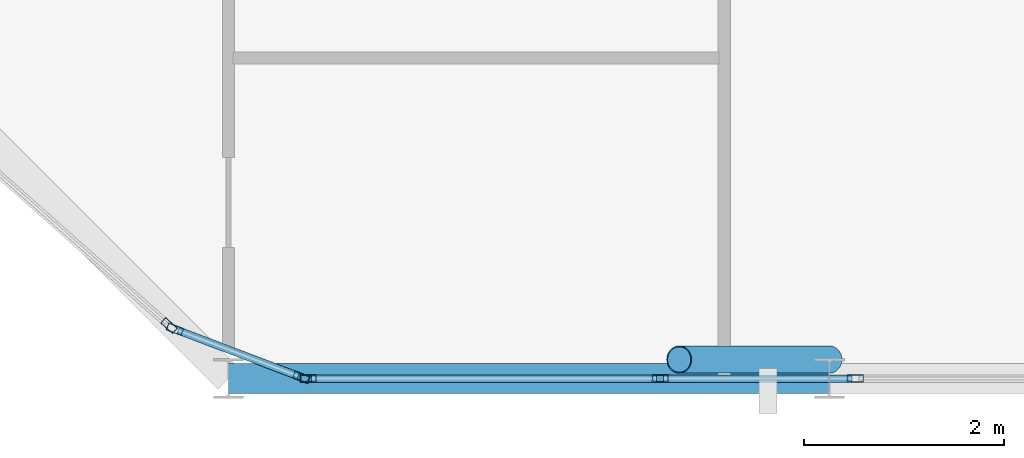
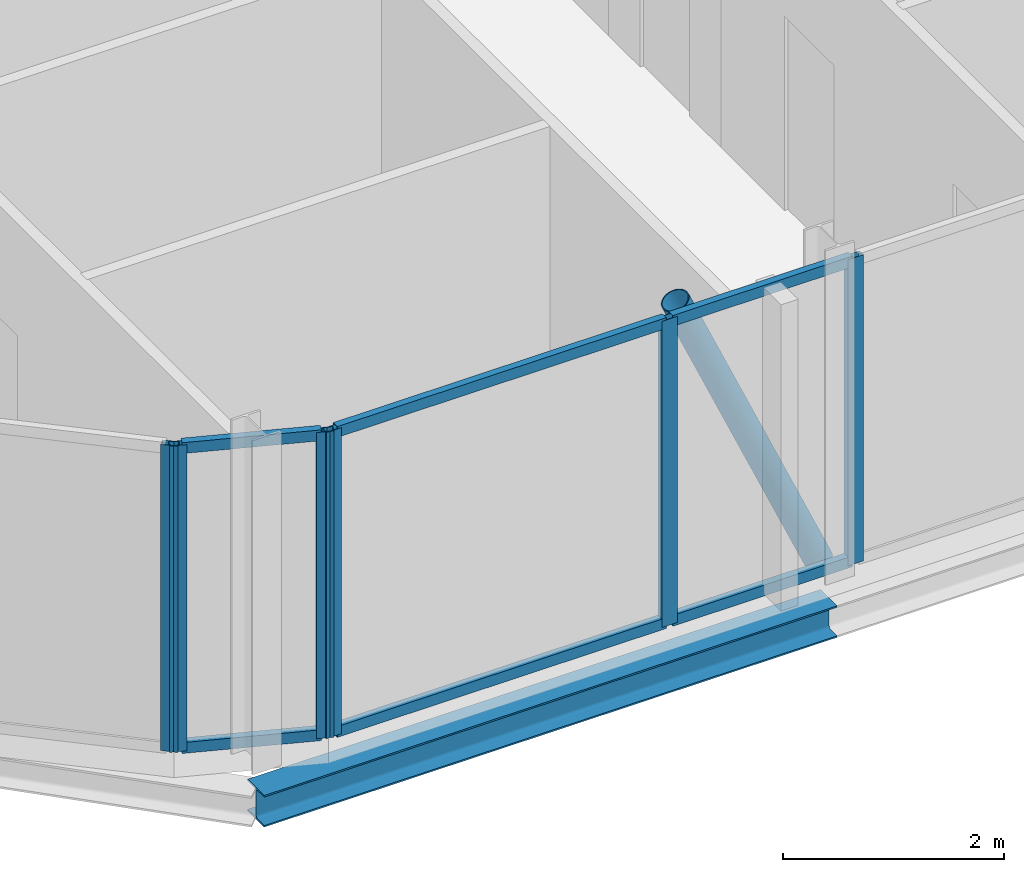
# One storey, part 6 of 28: 13 members, 1 beam, 5 elements without a shape of their own.
"""IFC4 building model written with IfcOpenShell, lengths in metres."""

from ifc_helpers import new_model, si_unit, direction, frame, origin, origin_2d, place, context, subcontext, project, spatial, hollow_rectangle, hollow_circle, i_section, extrude, material, layer, layer_set, material_profile, profile_set, type_object, element, aggregate, save


model = new_model("IFC4")

# Units and contexts
model_context = context("Model", 3, precision=1e-05, world=origin(), true_north=direction((0.0, 1.0)))
body_context = subcontext(model_context, "Body", "Model", "MODEL_VIEW")
ifc_project = project(units=[si_unit("LENGTHUNIT", "METRE"), si_unit("AREAUNIT", "SQUARE_METRE"), si_unit("VOLUMEUNIT", "CUBIC_METRE"), si_unit("PLANEANGLEUNIT", "RADIAN"), si_unit("MASSUNIT", "GRAM", prefix="KILO")], contexts=[model_context])

# Site, building, storey
site_placement = place(None, origin())
site = spatial("IfcSite", under=ifc_project, at=site_placement, CompositionType="ELEMENT")
building_placement = place(site_placement, origin())
building = spatial("IfcBuilding", under=site, at=building_placement, Name="Keshet Zoharim Tower", CompositionType="ELEMENT")
storey_placement = place(building_placement, frame((0.0, 0.0, 258.39990234375)))
storey = spatial("IfcBuildingStorey", under=building, at=storey_placement, Name="L64", CompositionType="ELEMENT", Elevation=258.39990234375)

# Beam
ifc_material_1 = material(Name="Steel S355", Category="steel")
ifc_material_profile_1 = material_profile(ifc_material_1, i_section(OverallWidth=0.300048828125, OverallDepth=0.35009765625, WebThickness=0.010009765625, FlangeThickness=0.017578125, FilletRadius=0.027099609375, at=origin_2d()), Name="HEA360")
ifc_profile_set_1 = profile_set([ifc_material_profile_1], Name="Steel S355")
beam_type = type_object("IfcBeamType", Name="BM-PRI-HA360", PredefinedType="BEAM", material=ifc_profile_set_1)
beam_placement = place(storey_placement, frame((21.0, 6.699951171875, -0.48486328125), z_axis=(1.0, 0.0, 0.0), x_axis=(0.0, 1.0, 0.0)))
element("IfcBeam", 1, at=beam_placement, inside=storey, type_object=beam_type, Name="L64 Primary Girder X-001", PredefinedType="BEAM", context=body_context, shape_type="SweptSolid", body=[
    extrude(i_section(OverallWidth=0.300048828125, OverallDepth=0.35009765625, WebThickness=0.010009765625, FlangeThickness=0.017578125, FilletRadius=0.027099609375, at=origin_2d()), origin(), (0.0, 0.0, 1.0), 6.0),
])

# Curtain wall, member
ifc_material_2 = material(Name="Aluminium 6063-T6", Category="aluminium")
ifc_layer = layer(ifc_material_2, 0.260009765625)
ifc_layer_set = layer_set([ifc_layer], Name="Aluminium 6063-T6")
curtain_wall_type = type_object("IfcCurtainWallType", Name="CW-SYS-06", PredefinedType="NOTDEFINED", material=ifc_layer_set)
curtain_wall_1_placement = place(storey_placement, origin())
curtain_wall_1 = element("IfcCurtainWall", 2, at=curtain_wall_1_placement, inside=storey, type_object=curtain_wall_type, Name="L64 Unitised Curtain Wall 14", PredefinedType="NOTDEFINED")
ifc_material_profile_2 = material_profile(ifc_material_2, hollow_rectangle(XDim=0.074951171875, YDim=0.159912109375, WallThickness=0.00390625, at=origin_2d()), Name="MUL-75x160")
ifc_profile_set_2 = profile_set([ifc_material_profile_2], Name="Aluminium 6063-T6")
member_type_1 = type_object("IfcMemberType", Name="CWM-M15", PredefinedType="MULLION", material=ifc_profile_set_2)
member_1_placement = place(storey_placement, frame((27.259765625, 6.699951171875, 0.0), z_axis=(0.0, 0.0, 1.0), x_axis=(0.0, -1.0, 0.0)))
member_1 = element("IfcMember", 3, at=member_1_placement, type_object=member_type_1, Name="CW-06 mullion 2", PredefinedType="MULLION", context=body_context, shape_type="SweptSolid", body=[
    extrude(hollow_rectangle(XDim=0.074951171875, YDim=0.159912109375, WallThickness=0.00390625, at=origin_2d()), origin(), (0.0, 0.0, 1.0), 3.39013671875),
])
aggregate(curtain_wall_1, [member_1])

curtain_wall_2_placement = place(storey_placement, origin())
curtain_wall_2 = element("IfcCurtainWall", 4, at=curtain_wall_2_placement, inside=storey, type_object=curtain_wall_type, Name="L64 Unitised Curtain Wall 14 Part 2", PredefinedType="NOTDEFINED")
member_2_placement = place(storey_placement, frame((25.310302734375, 6.699951171875, 0.0), z_axis=(0.0, 0.0, 1.0), x_axis=(0.0, -1.0, 0.0)))
member_2 = element("IfcMember", 5, at=member_2_placement, type_object=member_type_1, Name="CW-06 mullion 2", PredefinedType="MULLION", context=body_context, shape_type="SweptSolid", body=[
    extrude(hollow_rectangle(XDim=0.074951171875, YDim=0.159912109375, WallThickness=0.00390625, at=origin_2d()), origin(), (0.0, 0.0, 1.0), 3.39013671875),
])

curtain_wall_3_placement = place(storey_placement, origin())
curtain_wall_3 = element("IfcCurtainWall", 6, at=curtain_wall_3_placement, inside=storey, type_object=curtain_wall_type, Name="L64 Unitised Curtain Wall 14 Part 3", PredefinedType="NOTDEFINED")
member_3_placement = place(storey_placement, frame((21.794921875, 6.699951171875, 0.0), z_axis=(0.0, 0.0, 1.0), x_axis=(0.0, -1.0, 0.0)))
member_3 = element("IfcMember", 7, at=member_3_placement, type_object=member_type_1, Name="CW-06 mullion 2", PredefinedType="MULLION", context=body_context, shape_type="SweptSolid", body=[
    extrude(hollow_rectangle(XDim=0.074951171875, YDim=0.159912109375, WallThickness=0.00390625, at=origin_2d()), origin(), (0.0, 0.0, 1.0), 3.39013671875),
])

# Curtain wall, members
curtain_wall_4_placement = place(storey_placement, origin())
curtain_wall_4 = element("IfcCurtainWall", 8, at=curtain_wall_4_placement, inside=storey, type_object=curtain_wall_type, Name="L64 Unitised Curtain Wall 15", PredefinedType="NOTDEFINED")
member_4_placement = place(storey_placement, frame((21.727294921875, 6.71240234375, 0.0), z_axis=(0.0, 0.0, 1.0), x_axis=(-0.355439161326, -0.934699418314, 0.0)))
member_4 = element("IfcMember", 9, at=member_4_placement, type_object=member_type_1, Name="CW-06 mullion 1", PredefinedType="MULLION", context=body_context, shape_type="SweptSolid", body=[
    extrude(hollow_rectangle(XDim=0.074951171875, YDim=0.159912109375, WallThickness=0.00390625, at=origin_2d()), origin(), (0.0, 0.0, 1.0), 3.39013671875),
])
member_5_placement = place(storey_placement, frame((20.464599609375, 7.192626953125, 0.0), z_axis=(0.0, 0.0, 1.0), x_axis=(-0.355439161326, -0.934699418314, 0.0)))
member_5 = element("IfcMember", 10, at=member_5_placement, type_object=member_type_1, Name="CW-06 mullion 2", PredefinedType="MULLION", context=body_context, shape_type="SweptSolid", body=[
    extrude(hollow_rectangle(XDim=0.074951171875, YDim=0.159912109375, WallThickness=0.00390625, at=origin_2d()), origin(), (0.0, 0.0, 1.0), 3.39013671875),
])

# Curtain wall, member
curtain_wall_5_placement = place(storey_placement, origin())
curtain_wall_5 = element("IfcCurtainWall", 11, at=curtain_wall_5_placement, inside=storey, type_object=curtain_wall_type, Name="L64 Unitised Curtain Wall 16", PredefinedType="NOTDEFINED")
member_6_placement = place(storey_placement, frame((20.40576171875, 7.228271484375, 0.0), z_axis=(0.0, 0.0, 1.0), x_axis=(-0.664362180559, -0.747410792699, 0.0)))
member_6 = element("IfcMember", 12, at=member_6_placement, type_object=member_type_1, Name="CW-06 mullion 1", PredefinedType="MULLION", context=body_context, shape_type="SweptSolid", body=[
    extrude(hollow_rectangle(XDim=0.074951171875, YDim=0.159912109375, WallThickness=0.00390625, at=origin_2d()), origin(), (0.0, 0.0, 1.0), 3.39013671875),
])
aggregate(curtain_wall_5, [member_6])

# Member
ifc_material_profile_3 = material_profile(ifc_material_2, hollow_rectangle(XDim=0.074951171875, YDim=0.1201171875, WallThickness=0.00390625, at=origin_2d()), Name="TRN-75x120")
ifc_profile_set_3 = profile_set([ifc_material_profile_3], Name="Aluminium 6063-T6")
member_type_2 = type_object("IfcMemberType", Name="CWT-T12", PredefinedType="USERDEFINED", material=ifc_profile_set_3)
member_7_placement = place(storey_placement, frame((27.224853515625, 6.699951171875, 0.03515625), z_axis=(-1.0, 0.0, 0.0), x_axis=(0.0, -1.0, 0.0)))
member_7 = element("IfcMember", 13, at=member_7_placement, type_object=member_type_2, Name="CW-06 transom 1.1", ObjectType="TRANSOM", PredefinedType="USERDEFINED", context=body_context, shape_type="SweptSolid", body=[
    extrude(hollow_rectangle(XDim=0.074951171875, YDim=0.1201171875, WallThickness=0.00390625, at=origin_2d()), origin(), (0.0, 0.0, 1.0), 1.879638671875),
])

member_8_placement = place(storey_placement, frame((27.224853515625, 6.699951171875, 3.35498046875), z_axis=(-1.0, 0.0, 0.0), x_axis=(0.0, -1.0, 0.0)))
member_8 = element("IfcMember", 14, at=member_8_placement, type_object=member_type_2, Name="CW-06 transom 1.2", ObjectType="TRANSOM", PredefinedType="USERDEFINED", context=body_context, shape_type="SweptSolid", body=[
    extrude(hollow_rectangle(XDim=0.074951171875, YDim=0.1201171875, WallThickness=0.00390625, at=origin_2d()), origin(), (0.0, 0.0, 1.0), 1.879638671875),
])

aggregate(curtain_wall_2, [member_2, member_7, member_8])

member_9_placement = place(storey_placement, frame((25.275146484375, 6.699951171875, 0.03515625), z_axis=(-1.0, 0.0, 0.0), x_axis=(0.0, -1.0, 0.0)))
member_9 = element("IfcMember", 15, at=member_9_placement, type_object=member_type_2, Name="CW-06 transom 1.1", ObjectType="TRANSOM", PredefinedType="USERDEFINED", context=body_context, shape_type="SweptSolid", body=[
    extrude(hollow_rectangle(XDim=0.074951171875, YDim=0.1201171875, WallThickness=0.00390625, at=origin_2d()), origin(), (0.0, 0.0, 1.0), 3.445068359375),
])

member_10_placement = place(storey_placement, frame((25.275146484375, 6.699951171875, 3.35498046875), z_axis=(-1.0, 0.0, 0.0), x_axis=(0.0, -1.0, 0.0)))
member_10 = element("IfcMember", 16, at=member_10_placement, type_object=member_type_2, Name="CW-06 transom 1.2", ObjectType="TRANSOM", PredefinedType="USERDEFINED", context=body_context, shape_type="SweptSolid", body=[
    extrude(hollow_rectangle(XDim=0.074951171875, YDim=0.1201171875, WallThickness=0.00390625, at=origin_2d()), origin(), (0.0, 0.0, 1.0), 3.445068359375),
])

aggregate(curtain_wall_3, [member_3, member_9, member_10])

member_11_placement = place(storey_placement, frame((21.694580078125, 6.724853515625, 0.03515625), z_axis=(-0.934689881536, 0.355464239206, 0.0), x_axis=(-0.355464239206, -0.934689881536, 0.0)))
member_11 = element("IfcMember", 17, at=member_11_placement, type_object=member_type_2, Name="CW-06 transom 1.1", ObjectType="TRANSOM", PredefinedType="USERDEFINED", context=body_context, shape_type="SweptSolid", body=[
    extrude(hollow_rectangle(XDim=0.074951171875, YDim=0.1201171875, WallThickness=0.00390625, at=origin_2d()), origin(), (0.0, 0.0, 1.0), 1.281005859375),
])

member_12_placement = place(storey_placement, frame((21.694580078125, 6.724853515625, 3.35498046875), z_axis=(-0.934689881536, 0.355464239206, 0.0), x_axis=(-0.355464239206, -0.934689881536, 0.0)))
member_12 = element("IfcMember", 18, at=member_12_placement, type_object=member_type_2, Name="CW-06 transom 1.2", ObjectType="TRANSOM", PredefinedType="USERDEFINED", context=body_context, shape_type="SweptSolid", body=[
    extrude(hollow_rectangle(XDim=0.074951171875, YDim=0.1201171875, WallThickness=0.00390625, at=origin_2d()), origin(), (0.0, 0.0, 1.0), 1.281005859375),
])

aggregate(curtain_wall_4, [member_4, member_5, member_11, member_12])

ifc_material_profile_4 = material_profile(ifc_material_1, hollow_circle(Radius=0.136474609375, WallThickness=0.010009765625, at=origin_2d()), Name="CHS273x10")
ifc_profile_set_4 = profile_set([ifc_material_profile_4], Name="Steel S355")
member_type_3 = type_object("IfcMemberType", Name="MB-BR-C273", PredefinedType="BRACE", material=ifc_profile_set_4)
member_13_placement = place(storey_placement, frame((27.0, 6.889892578125, 0.0), z_axis=(-0.404622528463, 0.0, 0.914483793984), x_axis=(0.0, -1.0, 0.0)))
element("IfcMember", 19, at=member_13_placement, inside=storey, type_object=member_type_3, Name="L64 Perimeter Tube Brace 02", PredefinedType="BRACE", context=body_context, shape_type="SweptSolid", body=[
    extrude(hollow_circle(Radius=0.136474609375, WallThickness=0.010009765625, at=origin_2d()), origin(), (0.0, 0.0, 1.0), 3.707275390625),
])

save(model, "model.ifc")
